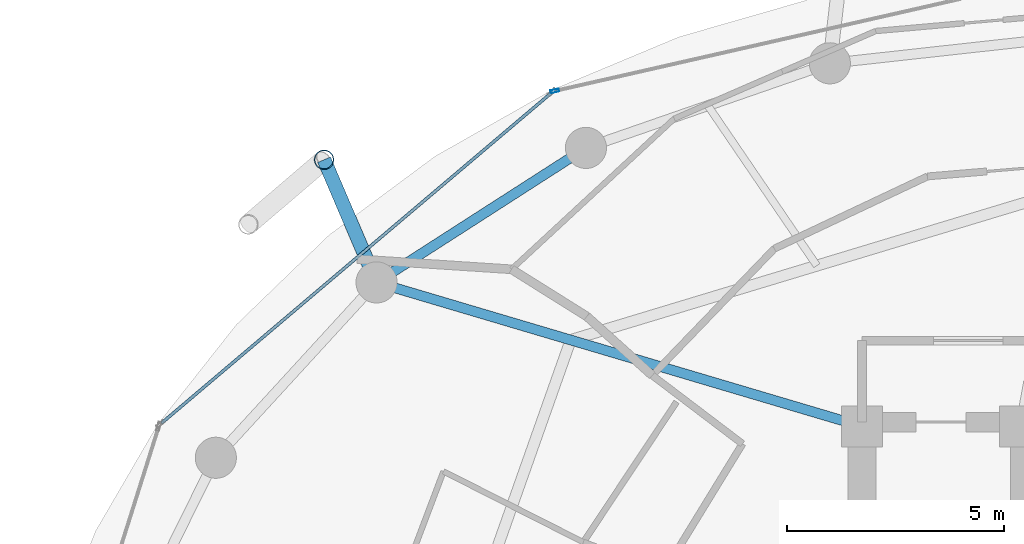
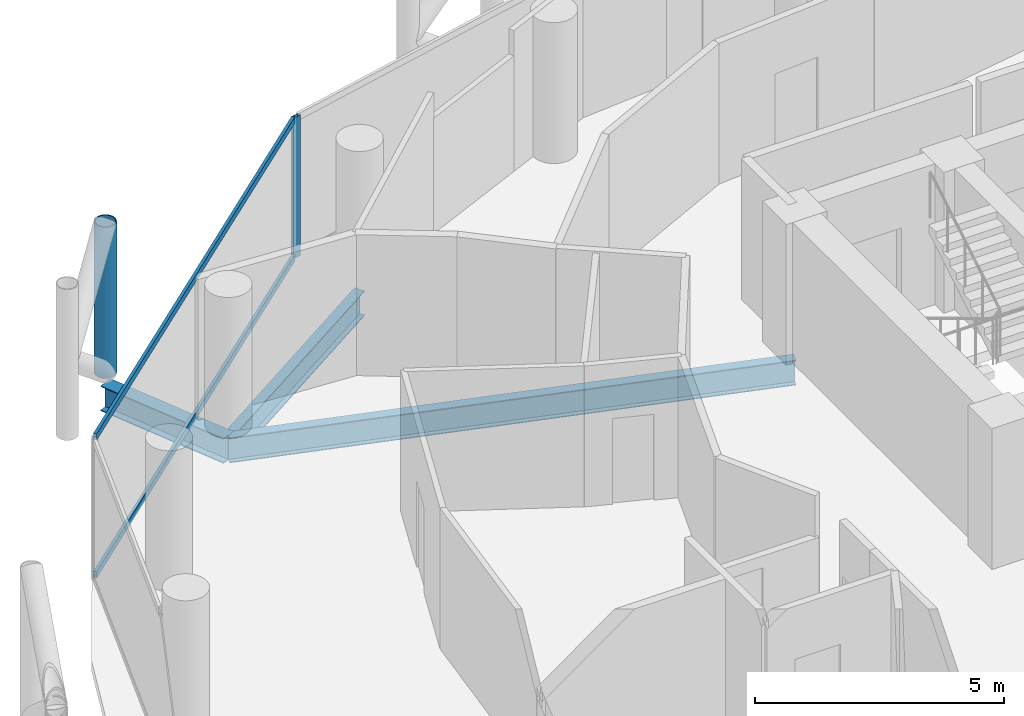
# One storey, part 14 of 26: 4 members, 3 beams, 2 elements without a shape of their own.
"""IFC4 building model written with IfcOpenShell, lengths in metres."""

from ifc_helpers import new_model, si_unit, direction, frame, origin, origin_2d, place, context, subcontext, project, spatial, hollow_rectangle, hollow_circle, i_section, extrude, material, layer, layer_set, material_profile, profile_set, type_object, element, aggregate, save


model = new_model("IFC4")

# Units and contexts
model_context = context("Model", 3, precision=1e-05, world=origin(), true_north=direction((0.0, 1.0)))
body_context = subcontext(model_context, "Body", "Model", "MODEL_VIEW")
ifc_project = project(units=[si_unit("LENGTHUNIT", "METRE"), si_unit("AREAUNIT", "SQUARE_METRE"), si_unit("VOLUMEUNIT", "CUBIC_METRE"), si_unit("PLANEANGLEUNIT", "RADIAN"), si_unit("MASSUNIT", "GRAM", prefix="KILO")], contexts=[model_context])

# Site, building, storey
site_placement = place(None, origin())
site = spatial("IfcSite", under=ifc_project, at=site_placement, CompositionType="ELEMENT")
building_placement = place(site_placement, origin())
building = spatial("IfcBuilding", under=site, at=building_placement, Name="Nuhasar Tower", CompositionType="ELEMENT")
storey_placement = place(building_placement, frame((0.0, 0.0, 162.64990234375)))
storey = spatial("IfcBuildingStorey", under=building, at=storey_placement, Name="L39", CompositionType="ELEMENT", Elevation=162.64990234375)

# Beams
ifc_material_1 = material(Name="Steel S355", Category="steel")
ifc_material_profile_1 = material_profile(ifc_material_1, i_section(OverallWidth=0.22900390625, OverallDepth=0.612060546875, WebThickness=0.011962890625, FlangeThickness=0.01953125, at=origin_2d()), Name="W24X84")
ifc_profile_set_1 = profile_set([ifc_material_profile_1], Name="Steel S355")
beam_type_1 = type_object("IfcBeamType", Name="BM-RAD-W24X84", PredefinedType="BEAM", material=ifc_profile_set_1)
beam_1_placement = place(storey_placement, frame((33.699951171875, 37.300048828125, -0.555908203125), z_axis=(-0.958746492721, 0.284262489076, 0.0), x_axis=(-0.284262489076, -0.958746492721, 0.0)))
element("IfcBeam", 1, at=beam_1_placement, inside=storey, type_object=beam_type_1, Name="L39 Radial Floor Girder 07", PredefinedType="BEAM", context=body_context, shape_type="SweptSolid", body=[
    extrude(i_section(OverallWidth=0.22900390625, OverallDepth=0.612060546875, WebThickness=0.011962890625, FlangeThickness=0.01953125, at=origin_2d()), origin(), (0.0, 0.0, 1.0), 11.693359375),
])
ifc_material_profile_2 = material_profile(ifc_material_1, i_section(OverallWidth=0.22998046875, OverallDepth=0.616943359375, WebThickness=0.01318359375, FlangeThickness=0.022216796875, at=origin_2d()), Name="W24X94")
ifc_profile_set_2 = profile_set([ifc_material_profile_2], Name="Steel S355")
beam_type_2 = type_object("IfcBeamType", Name="BM-RING-W24X94", PredefinedType="SPANDREL", material=ifc_profile_set_2)
beam_2_placement = place(storey_placement, frame((27.324951171875, 43.73095703125, -0.558837890625), z_axis=(-0.841327486207, -0.540525726448, 0.0), x_axis=(0.540525726448, -0.841327486207, 0.0)))
element("IfcBeam", 2, at=beam_2_placement, inside=storey, type_object=beam_type_2, Name="L39 Perimeter Ring Spandrel 09", PredefinedType="SPANDREL", context=body_context, shape_type="SweptSolid", body=[
    extrude(i_section(OverallWidth=0.22998046875, OverallDepth=0.616943359375, WebThickness=0.01318359375, FlangeThickness=0.022216796875, at=origin_2d()), origin(), (0.0, 0.0, 1.0), 5.748046875),
])
ifc_material_profile_3 = material_profile(ifc_material_1, i_section(OverallWidth=0.323974609375, OverallDepth=0.611083984375, WebThickness=0.0126953125, FlangeThickness=0.01904296875, at=origin_2d()), Name="W24X104")
ifc_profile_set_3 = profile_set([ifc_material_profile_3], Name="Steel S355")
beam_type_3 = type_object("IfcBeamType", Name="BM-TIE-W24X104", PredefinedType="BEAM", material=ifc_profile_set_3)
beam_3_placement = place(storey_placement, frame((22.489013671875, 40.6240234375, -0.554931640625), z_axis=(-0.39330721304, 0.919407111225, 0.0), x_axis=(-0.919407111225, -0.39330721304, 0.0)))
element("IfcBeam", 3, at=beam_3_placement, inside=storey, type_object=beam_type_3, Name="L39 Exoskeleton Node Tie Beam 05", PredefinedType="BEAM", context=body_context, shape_type="SweptSolid", body=[
    extrude(i_section(OverallWidth=0.323974609375, OverallDepth=0.611083984375, WebThickness=0.0126953125, FlangeThickness=0.01904296875, at=origin_2d()), origin(), (0.0, 0.0, 1.0), 3.081298828125),
])

# Curtain wall, member
ifc_material_2 = material(Name="Aluminium 6063-T6", Category="aluminium")
ifc_layer = layer(ifc_material_2, 0.199951171875)
ifc_layer_set = layer_set([ifc_layer], Name="Aluminium 6063-T6")
curtain_wall_type = type_object("IfcCurtainWallType", Name="CW-Z2-HTL", PredefinedType="NOTDEFINED", material=ifc_layer_set)
curtain_wall_1_placement = place(storey_placement, origin())
curtain_wall_1 = element("IfcCurtainWall", 4, at=curtain_wall_1_placement, inside=storey, type_object=curtain_wall_type, Name="L39 Unitised Curtain Wall 04", PredefinedType="NOTDEFINED")
ifc_material_profile_4 = material_profile(ifc_material_2, hollow_rectangle(XDim=0.070068359375, YDim=0.199951171875, WallThickness=0.0048828125, at=origin_2d()), Name="CWM-3")
ifc_profile_set_4 = profile_set([ifc_material_profile_4], Name="Aluminium 6063-T6")
member_type_1 = type_object("IfcMemberType", Name="CW-MUL-S3", PredefinedType="MULLION", material=ifc_profile_set_4)
member_1_placement = place(storey_placement, frame((26.604248046875, 45.045654296875, 0.0), z_axis=(0.0, 0.0, 1.0), x_axis=(0.22139729566, -0.975183694221, 0.0)))
member_1 = element("IfcMember", 5, at=member_1_placement, type_object=member_type_1, Name="CW-Z2 mullion 2", PredefinedType="MULLION", context=body_context, shape_type="SweptSolid", body=[
    extrude(hollow_rectangle(XDim=0.070068359375, YDim=0.199951171875, WallThickness=0.0048828125, at=origin_2d()), origin(), (0.0, 0.0, 1.0), 3.4501953125),
])
aggregate(curtain_wall_1, [member_1])

# Curtain wall, members
curtain_wall_2_placement = place(storey_placement, origin())
curtain_wall_2 = element("IfcCurtainWall", 6, at=curtain_wall_2_placement, inside=storey, type_object=curtain_wall_type, Name="L39 Unitised Curtain Wall 05", PredefinedType="NOTDEFINED")
ifc_material_profile_5 = material_profile(ifc_material_2, hollow_rectangle(XDim=0.070068359375, YDim=0.159912109375, WallThickness=0.00439453125, at=origin_2d()), Name="CWT-3")
ifc_profile_set_5 = profile_set([ifc_material_profile_5], Name="Aluminium 6063-T6")
member_type_2 = type_object("IfcMemberType", Name="CW-TRN-S3", PredefinedType="USERDEFINED", material=ifc_profile_set_5)
member_2_placement = place(storey_placement, frame((26.5166015625, 44.99267578125, 0.03515625), z_axis=(-0.763023915269, -0.646370253592, 0.0), x_axis=(0.646370253592, -0.763023915269, 0.0)))
member_2 = element("IfcMember", 7, at=member_2_placement, type_object=member_type_2, Name="CW-Z2 transom 1.1", ObjectType="TRANSOM", PredefinedType="USERDEFINED", context=body_context, shape_type="SweptSolid", body=[
    extrude(hollow_rectangle(XDim=0.070068359375, YDim=0.159912109375, WallThickness=0.00439453125, at=origin_2d()), origin(), (0.0, 0.0, 1.0), 11.784912109375),
])
member_3_placement = place(storey_placement, frame((26.5166015625, 44.99267578125, 3.4150390625), z_axis=(-0.763023915269, -0.646370253592, 0.0), x_axis=(0.646370253592, -0.763023915269, 0.0)))
member_3 = element("IfcMember", 8, at=member_3_placement, type_object=member_type_2, Name="CW-Z2 transom 1.2", ObjectType="TRANSOM", PredefinedType="USERDEFINED", context=body_context, shape_type="SweptSolid", body=[
    extrude(hollow_rectangle(XDim=0.070068359375, YDim=0.159912109375, WallThickness=0.00439453125, at=origin_2d()), origin(), (0.0, 0.0, 1.0), 11.784912109375),
])
aggregate(curtain_wall_2, [member_2, member_3])

# Member
ifc_material_3 = material(Name="Steel S460", Category="steel")
ifc_material_profile_6 = material_profile(ifc_material_3, hollow_circle(Radius=0.228515625, WallThickness=0.022216796875, at=origin_2d()), Name="HSS457X22.2")
ifc_profile_set_6 = profile_set([ifc_material_profile_6], Name="Steel S460")
member_type_3 = type_object("IfcMemberType", Name="EXO-BRONZE-457", PredefinedType="BRACE", material=ifc_profile_set_6)
member_4_placement = place(storey_placement, frame((21.277099609375, 43.45703125, 0.0), z_axis=(0.0, 0.0, 1.0), x_axis=(1.0, 0.0, 0.0)))
element("IfcMember", 9, at=member_4_placement, inside=storey, type_object=member_type_3, Name="L39 Exoskeleton Chord Column EC-05A", PredefinedType="BRACE", context=body_context, shape_type="SweptSolid", body=[
    extrude(hollow_circle(Radius=0.228515625, WallThickness=0.022216796875, at=origin_2d()), origin(), (0.0, 0.0, 1.0), 3.7001953125),
])

save(model, "model.ifc")
